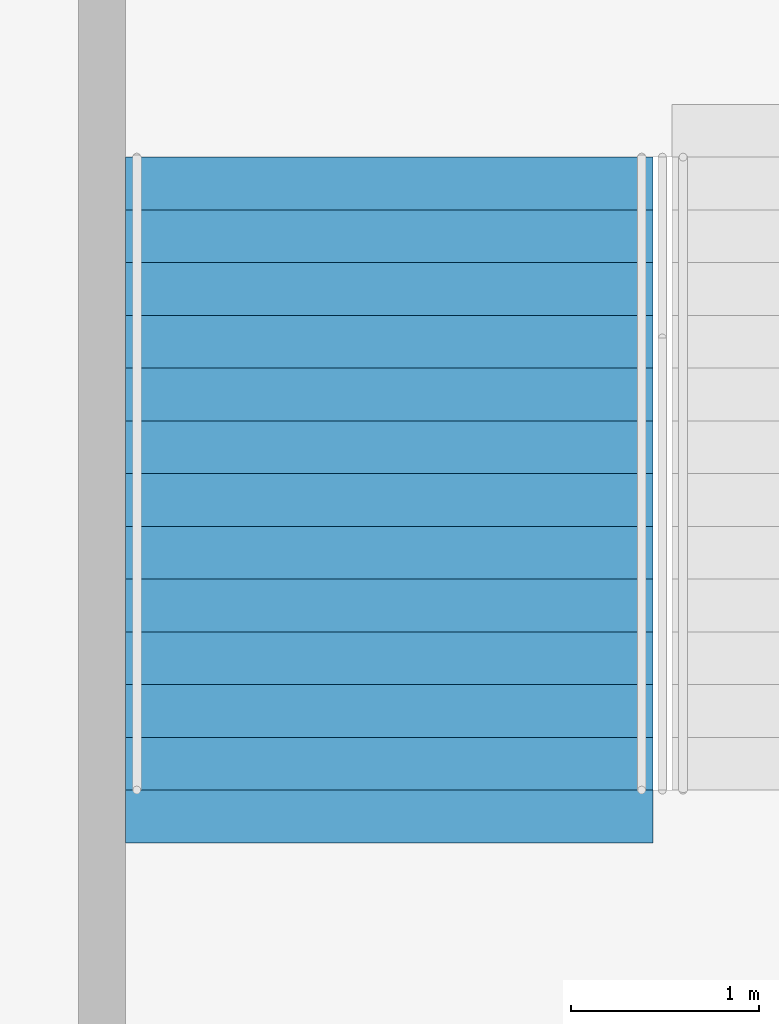
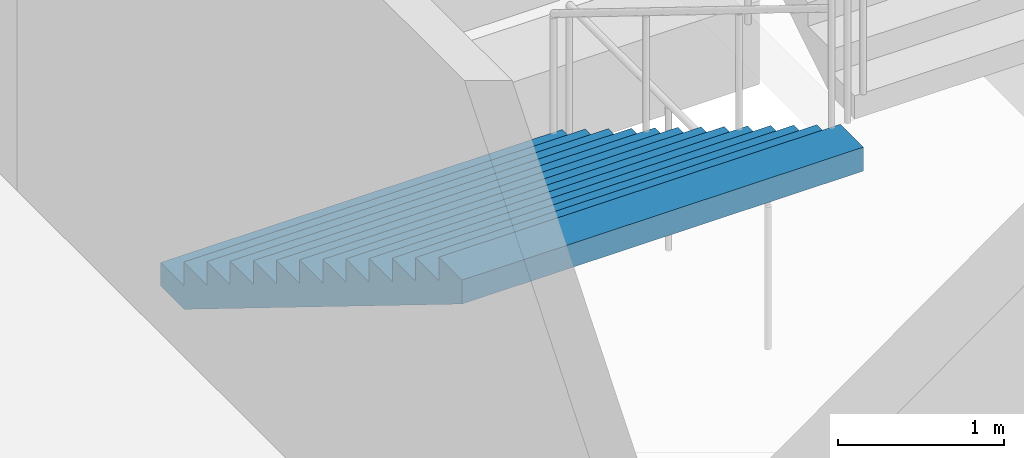
# One storey, part 146 of 249: 1 stair flight, 1 element without a shape of its own.
"""IFC4 building model written with IfcOpenShell, lengths in metres."""

from ifc_helpers import new_model, si_unit, direction, frame, origin, place, context, subcontext, project, spatial, faceted_brep, material, type_object, element, aggregate, save


model = new_model("IFC4")

# Units and contexts
model_context = context("Model", 3, precision=1e-05, world=origin(), true_north=direction((0.0, 1.0)))
body_context = subcontext(model_context, "Body", "Model", "MODEL_VIEW")
ifc_project = project(units=[si_unit("LENGTHUNIT", "METRE"), si_unit("AREAUNIT", "SQUARE_METRE"), si_unit("VOLUMEUNIT", "CUBIC_METRE"), si_unit("PLANEANGLEUNIT", "RADIAN"), si_unit("MASSUNIT", "GRAM", prefix="KILO")], contexts=[model_context])

# Site, building, storey
site_placement = place(None, origin())
site = spatial("IfcSite", under=ifc_project, at=site_placement, CompositionType="ELEMENT")
building_placement = place(site_placement, origin())
building = spatial("IfcBuilding", under=site, at=building_placement, Name="Ogive Plaza Stadium", CompositionType="ELEMENT")
storey_placement = place(building_placement, frame((0.0, 0.0, 13.5)))
storey = spatial("IfcBuildingStorey", under=building, at=storey_placement, Name="L03", CompositionType="ELEMENT", Elevation=13.5)

# Stair, stair flight
ifc_material_1 = material(Name="Concrete C40/50", Category="concrete")
stair_type = type_object("IfcStairType", Name="Exit stair", PredefinedType="STRAIGHT_RUN_STAIR", material=ifc_material_1)
stair_placement = place(storey_placement, origin())
stair = element("IfcStair", 1, at=stair_placement, inside=storey, type_object=stair_type, Name="Exit stair ST14A L03 to L04", PredefinedType="STRAIGHT_RUN_STAIR")
ifc_material_2 = material(Name="Concrete C40/50", Category="concrete")
stair_flight_type = type_object("IfcStairFlightType", Name="Exit stair flight", PredefinedType="STRAIGHT", material=ifc_material_2)
stair_flight_placement = place(storey_placement, frame((2.375, -94.85009765625, 0.0), z_axis=(0.0, 0.0, 1.0), x_axis=(0.0, -1.0, 0.0)))
stair_flight = element("IfcStairFlight", 2, at=stair_flight_placement, type_object=stair_flight_type, Name="ST14A flight 1", NumberOfRisers=13, NumberOfTreads=12, PredefinedType="STRAIGHT", RiserHeight=0.173076923, TreadLength=0.28, context=body_context, shape_type="Brep", body=[
    faceted_brep([(0.28515625, -1.39990234375, 0.0), (3.639892578125, -1.39990234375, 2.07373046875), (3.639892578125, -1.39990234375, 2.25), (3.360107421875, -1.39990234375, 2.25), (3.360107421875, -1.39990234375, 2.076904296875), (3.080078125, -1.39990234375, 2.076904296875), (3.080078125, -1.39990234375, 1.90380859375), (2.800048828125, -1.39990234375, 1.90380859375), (2.800048828125, -1.39990234375, 1.730712890625), (2.52001953125, -1.39990234375, 1.730712890625), (2.52001953125, -1.39990234375, 1.5576171875), (2.239990234375, -1.39990234375, 1.5576171875), (2.239990234375, -1.39990234375, 1.384521484375), (1.9599609375, -1.39990234375, 1.384521484375), (1.9599609375, -1.39990234375, 1.21142578125), (1.679931640625, -1.39990234375, 1.21142578125), (1.679931640625, -1.39990234375, 1.03857421875), (1.39990234375, -1.39990234375, 1.03857421875), (1.39990234375, -1.39990234375, 0.865478515625), (1.1201171875, -1.39990234375, 0.865478515625), (1.1201171875, -1.39990234375, 0.6923828125), (0.840087890625, -1.39990234375, 0.6923828125), (0.840087890625, -1.39990234375, 0.519287109375), (0.56005859375, -1.39990234375, 0.519287109375), (0.56005859375, -1.39990234375, 0.34619140625), (0.280029296875, -1.39990234375, 0.34619140625), (0.280029296875, -1.39990234375, 0.173095703125), (0.0, -1.39990234375, 0.173095703125), (0.0, -1.39990234375, 0.0), (0.0, 1.39990234375, 0.0), (0.0, 1.39990234375, 0.173095703125), (0.280029296875, 1.39990234375, 0.173095703125), (0.280029296875, 1.39990234375, 0.34619140625), (0.56005859375, 1.39990234375, 0.34619140625), (0.56005859375, 1.39990234375, 0.519287109375), (0.840087890625, 1.39990234375, 0.519287109375), (0.840087890625, 1.39990234375, 0.6923828125), (1.1201171875, 1.39990234375, 0.6923828125), (1.1201171875, 1.39990234375, 0.865478515625), (1.39990234375, 1.39990234375, 0.865478515625), (1.39990234375, 1.39990234375, 1.03857421875), (1.679931640625, 1.39990234375, 1.03857421875), (1.679931640625, 1.39990234375, 1.21142578125), (1.9599609375, 1.39990234375, 1.21142578125), (1.9599609375, 1.39990234375, 1.384521484375), (2.239990234375, 1.39990234375, 1.384521484375), (2.239990234375, 1.39990234375, 1.5576171875), (2.52001953125, 1.39990234375, 1.5576171875), (2.52001953125, 1.39990234375, 1.730712890625), (2.800048828125, 1.39990234375, 1.730712890625), (2.800048828125, 1.39990234375, 1.90380859375), (3.080078125, 1.39990234375, 1.90380859375), (3.080078125, 1.39990234375, 2.076904296875), (3.360107421875, 1.39990234375, 2.076904296875), (3.360107421875, 1.39990234375, 2.25), (3.639892578125, 1.39990234375, 2.25), (3.639892578125, 1.39990234375, 2.07373046875), (0.28515625, 1.39990234375, 0.0), (0.28515625, -1.0888671875, 0.0), (3.639892578125, -1.0888671875, 2.07373046875), (0.28515625, -0.77783203125, 0.0), (3.639892578125, -0.77783203125, 2.07373046875), (0.28515625, -0.466796875, 0.0), (3.639892578125, -0.466796875, 2.07373046875), (0.28515625, -0.155517578125, 0.0), (3.639892578125, -0.155517578125, 2.07373046875), (0.28515625, 0.155517578125, 0.0), (3.639892578125, 0.155517578125, 2.07373046875), (0.28515625, 0.466796875, 0.0), (3.639892578125, 0.466796875, 2.07373046875), (0.28515625, 0.77783203125, 0.0), (3.639892578125, 0.77783203125, 2.07373046875), (0.28515625, 1.0888671875, 0.0), (3.639892578125, 1.0888671875, 2.07373046875), (3.639892578125, -1.0888671875, 2.25), (3.639892578125, -0.77783203125, 2.25), (3.639892578125, -0.466796875, 2.25), (3.639892578125, -0.155517578125, 2.25), (3.639892578125, 0.155517578125, 2.25), (3.639892578125, 0.466796875, 2.25), (3.639892578125, 0.77783203125, 2.25), (3.639892578125, 1.0888671875, 2.25), (3.360107421875, -1.0888671875, 2.25), (3.360107421875, -0.77783203125, 2.25), (3.360107421875, -0.466796875, 2.25), (3.360107421875, -0.155517578125, 2.25), (3.360107421875, 0.155517578125, 2.25), (3.360107421875, 0.466796875, 2.25), (3.360107421875, 0.77783203125, 2.25), (3.360107421875, 1.0888671875, 2.25), (3.360107421875, -1.0888671875, 2.076904296875), (3.360107421875, -0.77783203125, 2.076904296875), (3.360107421875, -0.466796875, 2.076904296875), (3.360107421875, -0.155517578125, 2.076904296875), (3.360107421875, 0.155517578125, 2.076904296875), (3.360107421875, 0.466796875, 2.076904296875), (3.360107421875, 0.77783203125, 2.076904296875), (3.360107421875, 1.0888671875, 2.076904296875), (3.080078125, -1.0888671875, 2.076904296875), (3.080078125, -0.77783203125, 2.076904296875), (3.080078125, -0.466796875, 2.076904296875), (3.080078125, -0.155517578125, 2.076904296875), (3.080078125, 0.155517578125, 2.076904296875), (3.080078125, 0.466796875, 2.076904296875), (3.080078125, 0.77783203125, 2.076904296875), (3.080078125, 1.0888671875, 2.076904296875), (3.080078125, -1.0888671875, 1.90380859375), (3.080078125, -0.77783203125, 1.90380859375), (3.080078125, -0.466796875, 1.90380859375), (3.080078125, -0.155517578125, 1.90380859375), (3.080078125, 0.155517578125, 1.90380859375), (3.080078125, 0.466796875, 1.90380859375), (3.080078125, 0.77783203125, 1.90380859375), (3.080078125, 1.0888671875, 1.90380859375), (2.800048828125, -1.0888671875, 1.90380859375), (2.800048828125, -0.77783203125, 1.90380859375), (2.800048828125, -0.466796875, 1.90380859375), (2.800048828125, -0.155517578125, 1.90380859375), (2.800048828125, 0.155517578125, 1.90380859375), (2.800048828125, 0.466796875, 1.90380859375), (2.800048828125, 0.77783203125, 1.90380859375), (2.800048828125, 1.0888671875, 1.90380859375), (2.800048828125, -1.0888671875, 1.730712890625), (2.800048828125, -0.77783203125, 1.730712890625), (2.800048828125, -0.466796875, 1.730712890625), (2.800048828125, -0.155517578125, 1.730712890625), (2.800048828125, 0.155517578125, 1.730712890625), (2.800048828125, 0.466796875, 1.730712890625), (2.800048828125, 0.77783203125, 1.730712890625), (2.800048828125, 1.0888671875, 1.730712890625), (2.52001953125, -1.0888671875, 1.730712890625), (2.52001953125, -0.77783203125, 1.730712890625), (2.52001953125, -0.466796875, 1.730712890625), (2.52001953125, -0.155517578125, 1.730712890625), (2.52001953125, 0.155517578125, 1.730712890625), (2.52001953125, 0.466796875, 1.730712890625), (2.52001953125, 0.77783203125, 1.730712890625), (2.52001953125, 1.0888671875, 1.730712890625), (2.52001953125, -1.0888671875, 1.5576171875), (2.52001953125, -0.77783203125, 1.5576171875), (2.52001953125, -0.466796875, 1.5576171875), (2.52001953125, -0.155517578125, 1.5576171875), (2.52001953125, 0.155517578125, 1.5576171875), (2.52001953125, 0.466796875, 1.5576171875), (2.52001953125, 0.77783203125, 1.5576171875), (2.52001953125, 1.0888671875, 1.5576171875), (2.239990234375, -1.0888671875, 1.5576171875), (2.239990234375, -0.77783203125, 1.5576171875), (2.239990234375, -0.466796875, 1.5576171875), (2.239990234375, -0.155517578125, 1.5576171875), (2.239990234375, 0.155517578125, 1.5576171875), (2.239990234375, 0.466796875, 1.5576171875), (2.239990234375, 0.77783203125, 1.5576171875), (2.239990234375, 1.0888671875, 1.5576171875), (2.239990234375, -1.0888671875, 1.384521484375), (2.239990234375, -0.77783203125, 1.384521484375), (2.239990234375, -0.466796875, 1.384521484375), (2.239990234375, -0.155517578125, 1.384521484375), (2.239990234375, 0.155517578125, 1.384521484375), (2.239990234375, 0.466796875, 1.384521484375), (2.239990234375, 0.77783203125, 1.384521484375), (2.239990234375, 1.0888671875, 1.384521484375), (1.9599609375, -1.0888671875, 1.384521484375), (1.9599609375, -0.77783203125, 1.384521484375), (1.9599609375, -0.466796875, 1.384521484375), (1.9599609375, -0.155517578125, 1.384521484375), (1.9599609375, 0.155517578125, 1.384521484375), (1.9599609375, 0.466796875, 1.384521484375), (1.9599609375, 0.77783203125, 1.384521484375), (1.9599609375, 1.0888671875, 1.384521484375), (1.9599609375, -1.0888671875, 1.21142578125), (1.9599609375, -0.77783203125, 1.21142578125), (1.9599609375, -0.466796875, 1.21142578125), (1.9599609375, -0.155517578125, 1.21142578125), (1.9599609375, 0.155517578125, 1.21142578125), (1.9599609375, 0.466796875, 1.21142578125), (1.9599609375, 0.77783203125, 1.21142578125), (1.9599609375, 1.0888671875, 1.21142578125), (1.679931640625, -1.0888671875, 1.21142578125), (1.679931640625, -0.77783203125, 1.21142578125), (1.679931640625, -0.466796875, 1.21142578125), (1.679931640625, -0.155517578125, 1.21142578125), (1.679931640625, 0.155517578125, 1.21142578125), (1.679931640625, 0.466796875, 1.21142578125), (1.679931640625, 0.77783203125, 1.21142578125), (1.679931640625, 1.0888671875, 1.21142578125), (1.679931640625, -1.0888671875, 1.03857421875), (1.679931640625, -0.77783203125, 1.03857421875), (1.679931640625, -0.466796875, 1.03857421875), (1.679931640625, -0.155517578125, 1.03857421875), (1.679931640625, 0.155517578125, 1.03857421875), (1.679931640625, 0.466796875, 1.03857421875), (1.679931640625, 0.77783203125, 1.03857421875), (1.679931640625, 1.0888671875, 1.03857421875), (1.39990234375, -1.0888671875, 1.03857421875), (1.39990234375, -0.77783203125, 1.03857421875), (1.39990234375, -0.466796875, 1.03857421875), (1.39990234375, -0.155517578125, 1.03857421875), (1.39990234375, 0.155517578125, 1.03857421875), (1.39990234375, 0.466796875, 1.03857421875), (1.39990234375, 0.77783203125, 1.03857421875), (1.39990234375, 1.0888671875, 1.03857421875), (1.39990234375, -1.0888671875, 0.865478515625), (1.39990234375, -0.77783203125, 0.865478515625), (1.39990234375, -0.466796875, 0.865478515625), (1.39990234375, -0.155517578125, 0.865478515625), (1.39990234375, 0.155517578125, 0.865478515625), (1.39990234375, 0.466796875, 0.865478515625), (1.39990234375, 0.77783203125, 0.865478515625), (1.39990234375, 1.0888671875, 0.865478515625), (1.1201171875, -1.0888671875, 0.865478515625), (1.1201171875, -0.77783203125, 0.865478515625), (1.1201171875, -0.466796875, 0.865478515625), (1.1201171875, -0.155517578125, 0.865478515625), (1.1201171875, 0.155517578125, 0.865478515625), (1.1201171875, 0.466796875, 0.865478515625), (1.1201171875, 0.77783203125, 0.865478515625), (1.1201171875, 1.0888671875, 0.865478515625), (1.1201171875, -1.0888671875, 0.6923828125), (1.1201171875, -0.77783203125, 0.6923828125), (1.1201171875, -0.466796875, 0.6923828125), (1.1201171875, -0.155517578125, 0.6923828125), (1.1201171875, 0.155517578125, 0.6923828125), (1.1201171875, 0.466796875, 0.6923828125), (1.1201171875, 0.77783203125, 0.6923828125), (1.1201171875, 1.0888671875, 0.6923828125), (0.840087890625, -1.0888671875, 0.6923828125), (0.840087890625, -0.77783203125, 0.6923828125), (0.840087890625, -0.466796875, 0.6923828125), (0.840087890625, -0.155517578125, 0.6923828125), (0.840087890625, 0.155517578125, 0.6923828125), (0.840087890625, 0.466796875, 0.6923828125), (0.840087890625, 0.77783203125, 0.6923828125), (0.840087890625, 1.0888671875, 0.6923828125), (0.840087890625, -1.0888671875, 0.519287109375), (0.840087890625, -0.77783203125, 0.519287109375), (0.840087890625, -0.466796875, 0.519287109375), (0.840087890625, -0.155517578125, 0.519287109375), (0.840087890625, 0.155517578125, 0.519287109375), (0.840087890625, 0.466796875, 0.519287109375), (0.840087890625, 0.77783203125, 0.519287109375), (0.840087890625, 1.0888671875, 0.519287109375), (0.56005859375, -1.0888671875, 0.519287109375), (0.56005859375, -0.77783203125, 0.519287109375), (0.56005859375, -0.466796875, 0.519287109375), (0.56005859375, -0.155517578125, 0.519287109375), (0.56005859375, 0.155517578125, 0.519287109375), (0.56005859375, 0.466796875, 0.519287109375), (0.56005859375, 0.77783203125, 0.519287109375), (0.56005859375, 1.0888671875, 0.519287109375), (0.56005859375, -1.0888671875, 0.34619140625), (0.56005859375, -0.77783203125, 0.34619140625), (0.56005859375, -0.466796875, 0.34619140625), (0.56005859375, -0.155517578125, 0.34619140625), (0.56005859375, 0.155517578125, 0.34619140625), (0.56005859375, 0.466796875, 0.34619140625), (0.56005859375, 0.77783203125, 0.34619140625), (0.56005859375, 1.0888671875, 0.34619140625), (0.280029296875, -1.0888671875, 0.34619140625), (0.280029296875, -0.77783203125, 0.34619140625), (0.280029296875, -0.466796875, 0.34619140625), (0.280029296875, -0.155517578125, 0.34619140625), (0.280029296875, 0.155517578125, 0.34619140625), (0.280029296875, 0.466796875, 0.34619140625), (0.280029296875, 0.77783203125, 0.34619140625), (0.280029296875, 1.0888671875, 0.34619140625), (0.280029296875, -1.0888671875, 0.173095703125), (0.280029296875, -0.77783203125, 0.173095703125), (0.280029296875, -0.466796875, 0.173095703125), (0.280029296875, -0.155517578125, 0.173095703125), (0.280029296875, 0.155517578125, 0.173095703125), (0.280029296875, 0.466796875, 0.173095703125), (0.280029296875, 0.77783203125, 0.173095703125), (0.280029296875, 1.0888671875, 0.173095703125), (0.0, -1.0888671875, 0.173095703125), (0.0, -0.77783203125, 0.173095703125), (0.0, -0.466796875, 0.173095703125), (0.0, -0.155517578125, 0.173095703125), (0.0, 0.155517578125, 0.173095703125), (0.0, 0.466796875, 0.173095703125), (0.0, 0.77783203125, 0.173095703125), (0.0, 1.0888671875, 0.173095703125), (0.0, -1.0888671875, 0.0), (0.0, -0.77783203125, 0.0), (0.0, -0.466796875, 0.0), (0.0, -0.155517578125, 0.0), (0.0, 0.155517578125, 0.0), (0.0, 0.466796875, 0.0), (0.0, 0.77783203125, 0.0), (0.0, 1.0888671875, 0.0)], [[[0, 1, 2, 3, 4, 5, 6, 7, 8, 9, 10, 11, 12, 13, 14, 15, 16, 17, 18, 19, 20, 21, 22, 23, 24, 25, 26, 27, 28]], [[29, 30, 31, 32, 33, 34, 35, 36, 37, 38, 39, 40, 41, 42, 43, 44, 45, 46, 47, 48, 49, 50, 51, 52, 53, 54, 55, 56, 57]], [[0, 58, 59, 1]], [[58, 60, 61, 59]], [[60, 62, 63, 61]], [[62, 64, 65, 63]], [[64, 66, 67, 65]], [[66, 68, 69, 67]], [[68, 70, 71, 69]], [[70, 72, 73, 71]], [[72, 57, 56, 73]], [[1, 59, 74, 2]], [[59, 61, 75, 74]], [[61, 63, 76, 75]], [[63, 65, 77, 76]], [[65, 67, 78, 77]], [[67, 69, 79, 78]], [[69, 71, 80, 79]], [[71, 73, 81, 80]], [[73, 56, 55, 81]], [[2, 74, 82, 3]], [[74, 75, 83, 82]], [[75, 76, 84, 83]], [[76, 77, 85, 84]], [[77, 78, 86, 85]], [[78, 79, 87, 86]], [[79, 80, 88, 87]], [[80, 81, 89, 88]], [[81, 55, 54, 89]], [[3, 82, 90, 4]], [[82, 83, 91, 90]], [[83, 84, 92, 91]], [[84, 85, 93, 92]], [[85, 86, 94, 93]], [[86, 87, 95, 94]], [[87, 88, 96, 95]], [[88, 89, 97, 96]], [[89, 54, 53, 97]], [[4, 90, 98, 5]], [[90, 91, 99, 98]], [[91, 92, 100, 99]], [[92, 93, 101, 100]], [[93, 94, 102, 101]], [[94, 95, 103, 102]], [[95, 96, 104, 103]], [[96, 97, 105, 104]], [[97, 53, 52, 105]], [[5, 98, 106, 6]], [[98, 99, 107, 106]], [[99, 100, 108, 107]], [[100, 101, 109, 108]], [[101, 102, 110, 109]], [[102, 103, 111, 110]], [[103, 104, 112, 111]], [[104, 105, 113, 112]], [[105, 52, 51, 113]], [[6, 106, 114, 7]], [[106, 107, 115, 114]], [[107, 108, 116, 115]], [[108, 109, 117, 116]], [[109, 110, 118, 117]], [[110, 111, 119, 118]], [[111, 112, 120, 119]], [[112, 113, 121, 120]], [[113, 51, 50, 121]], [[7, 114, 122, 8]], [[114, 115, 123, 122]], [[115, 116, 124, 123]], [[116, 117, 125, 124]], [[117, 118, 126, 125]], [[118, 119, 127, 126]], [[119, 120, 128, 127]], [[120, 121, 129, 128]], [[121, 50, 49, 129]], [[8, 122, 130, 9]], [[122, 123, 131, 130]], [[123, 124, 132, 131]], [[124, 125, 133, 132]], [[125, 126, 134, 133]], [[126, 127, 135, 134]], [[127, 128, 136, 135]], [[128, 129, 137, 136]], [[129, 49, 48, 137]], [[9, 130, 138, 10]], [[130, 131, 139, 138]], [[131, 132, 140, 139]], [[132, 133, 141, 140]], [[133, 134, 142, 141]], [[134, 135, 143, 142]], [[135, 136, 144, 143]], [[136, 137, 145, 144]], [[137, 48, 47, 145]], [[10, 138, 146, 11]], [[138, 139, 147, 146]], [[139, 140, 148, 147]], [[140, 141, 149, 148]], [[141, 142, 150, 149]], [[142, 143, 151, 150]], [[143, 144, 152, 151]], [[144, 145, 153, 152]], [[145, 47, 46, 153]], [[11, 146, 154, 12]], [[146, 147, 155, 154]], [[147, 148, 156, 155]], [[148, 149, 157, 156]], [[149, 150, 158, 157]], [[150, 151, 159, 158]], [[151, 152, 160, 159]], [[152, 153, 161, 160]], [[153, 46, 45, 161]], [[12, 154, 162, 13]], [[154, 155, 163, 162]], [[155, 156, 164, 163]], [[156, 157, 165, 164]], [[157, 158, 166, 165]], [[158, 159, 167, 166]], [[159, 160, 168, 167]], [[160, 161, 169, 168]], [[161, 45, 44, 169]], [[13, 162, 170, 14]], [[162, 163, 171, 170]], [[163, 164, 172, 171]], [[164, 165, 173, 172]], [[165, 166, 174, 173]], [[166, 167, 175, 174]], [[167, 168, 176, 175]], [[168, 169, 177, 176]], [[169, 44, 43, 177]], [[14, 170, 178, 15]], [[170, 171, 179, 178]], [[171, 172, 180, 179]], [[172, 173, 181, 180]], [[173, 174, 182, 181]], [[174, 175, 183, 182]], [[175, 176, 184, 183]], [[176, 177, 185, 184]], [[177, 43, 42, 185]], [[15, 178, 186, 16]], [[178, 179, 187, 186]], [[179, 180, 188, 187]], [[180, 181, 189, 188]], [[181, 182, 190, 189]], [[182, 183, 191, 190]], [[183, 184, 192, 191]], [[184, 185, 193, 192]], [[185, 42, 41, 193]], [[16, 186, 194, 17]], [[186, 187, 195, 194]], [[187, 188, 196, 195]], [[188, 189, 197, 196]], [[189, 190, 198, 197]], [[190, 191, 199, 198]], [[191, 192, 200, 199]], [[192, 193, 201, 200]], [[193, 41, 40, 201]], [[17, 194, 202, 18]], [[194, 195, 203, 202]], [[195, 196, 204, 203]], [[196, 197, 205, 204]], [[197, 198, 206, 205]], [[198, 199, 207, 206]], [[199, 200, 208, 207]], [[200, 201, 209, 208]], [[201, 40, 39, 209]], [[18, 202, 210, 19]], [[202, 203, 211, 210]], [[203, 204, 212, 211]], [[204, 205, 213, 212]], [[205, 206, 214, 213]], [[206, 207, 215, 214]], [[207, 208, 216, 215]], [[208, 209, 217, 216]], [[209, 39, 38, 217]], [[19, 210, 218, 20]], [[210, 211, 219, 218]], [[211, 212, 220, 219]], [[212, 213, 221, 220]], [[213, 214, 222, 221]], [[214, 215, 223, 222]], [[215, 216, 224, 223]], [[216, 217, 225, 224]], [[217, 38, 37, 225]], [[20, 218, 226, 21]], [[218, 219, 227, 226]], [[219, 220, 228, 227]], [[220, 221, 229, 228]], [[221, 222, 230, 229]], [[222, 223, 231, 230]], [[223, 224, 232, 231]], [[224, 225, 233, 232]], [[225, 37, 36, 233]], [[21, 226, 234, 22]], [[226, 227, 235, 234]], [[227, 228, 236, 235]], [[228, 229, 237, 236]], [[229, 230, 238, 237]], [[230, 231, 239, 238]], [[231, 232, 240, 239]], [[232, 233, 241, 240]], [[233, 36, 35, 241]], [[22, 234, 242, 23]], [[234, 235, 243, 242]], [[235, 236, 244, 243]], [[236, 237, 245, 244]], [[237, 238, 246, 245]], [[238, 239, 247, 246]], [[239, 240, 248, 247]], [[240, 241, 249, 248]], [[241, 35, 34, 249]], [[23, 242, 250, 24]], [[242, 243, 251, 250]], [[243, 244, 252, 251]], [[244, 245, 253, 252]], [[245, 246, 254, 253]], [[246, 247, 255, 254]], [[247, 248, 256, 255]], [[248, 249, 257, 256]], [[249, 34, 33, 257]], [[24, 250, 258, 25]], [[250, 251, 259, 258]], [[251, 252, 260, 259]], [[252, 253, 261, 260]], [[253, 254, 262, 261]], [[254, 255, 263, 262]], [[255, 256, 264, 263]], [[256, 257, 265, 264]], [[257, 33, 32, 265]], [[25, 258, 266, 26]], [[258, 259, 267, 266]], [[259, 260, 268, 267]], [[260, 261, 269, 268]], [[261, 262, 270, 269]], [[262, 263, 271, 270]], [[263, 264, 272, 271]], [[264, 265, 273, 272]], [[265, 32, 31, 273]], [[26, 266, 274, 27]], [[266, 267, 275, 274]], [[267, 268, 276, 275]], [[268, 269, 277, 276]], [[269, 270, 278, 277]], [[270, 271, 279, 278]], [[271, 272, 280, 279]], [[272, 273, 281, 280]], [[273, 31, 30, 281]], [[27, 274, 282, 28]], [[274, 275, 283, 282]], [[275, 276, 284, 283]], [[276, 277, 285, 284]], [[277, 278, 286, 285]], [[278, 279, 287, 286]], [[279, 280, 288, 287]], [[280, 281, 289, 288]], [[281, 30, 29, 289]], [[28, 282, 58, 0]], [[282, 283, 60, 58]], [[283, 284, 62, 60]], [[284, 285, 64, 62]], [[285, 286, 66, 64]], [[286, 287, 68, 66]], [[287, 288, 70, 68]], [[288, 289, 72, 70]], [[289, 29, 57, 72]]]),
])
aggregate(stair, [stair_flight])

save(model, "model.ifc")
